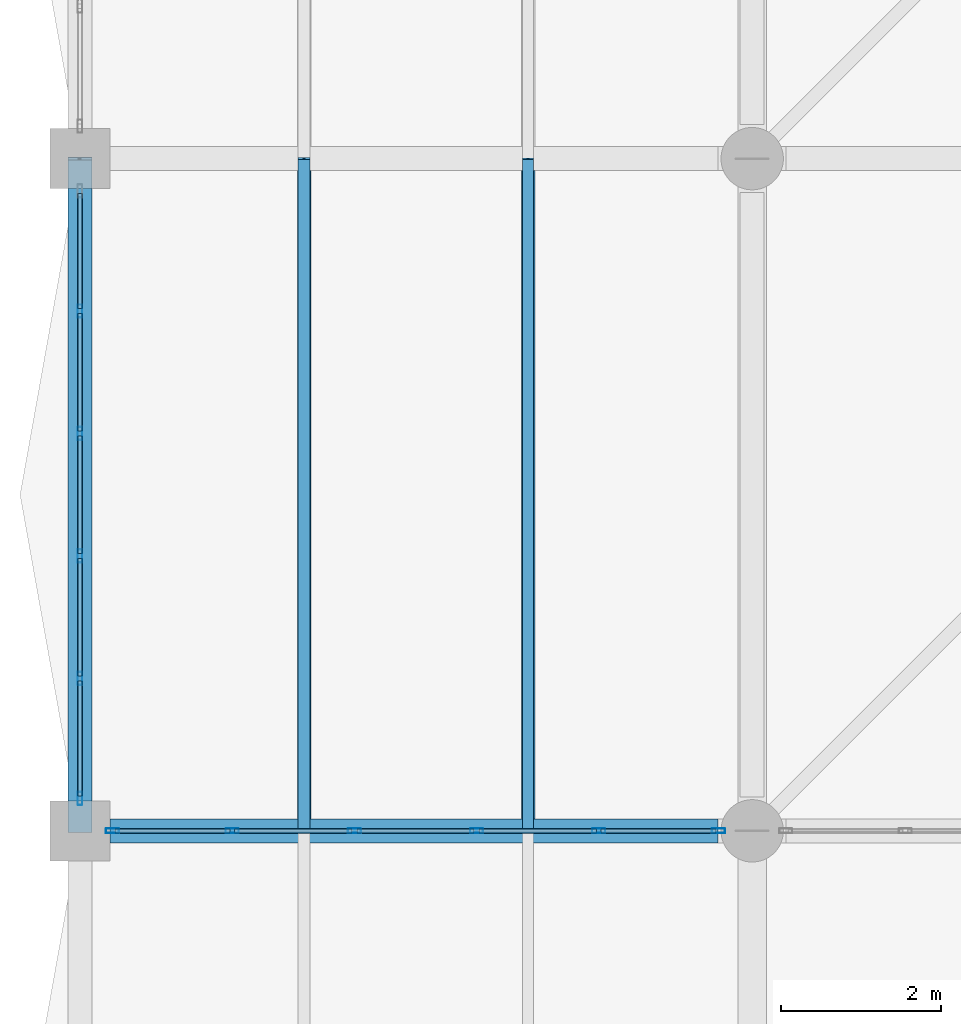
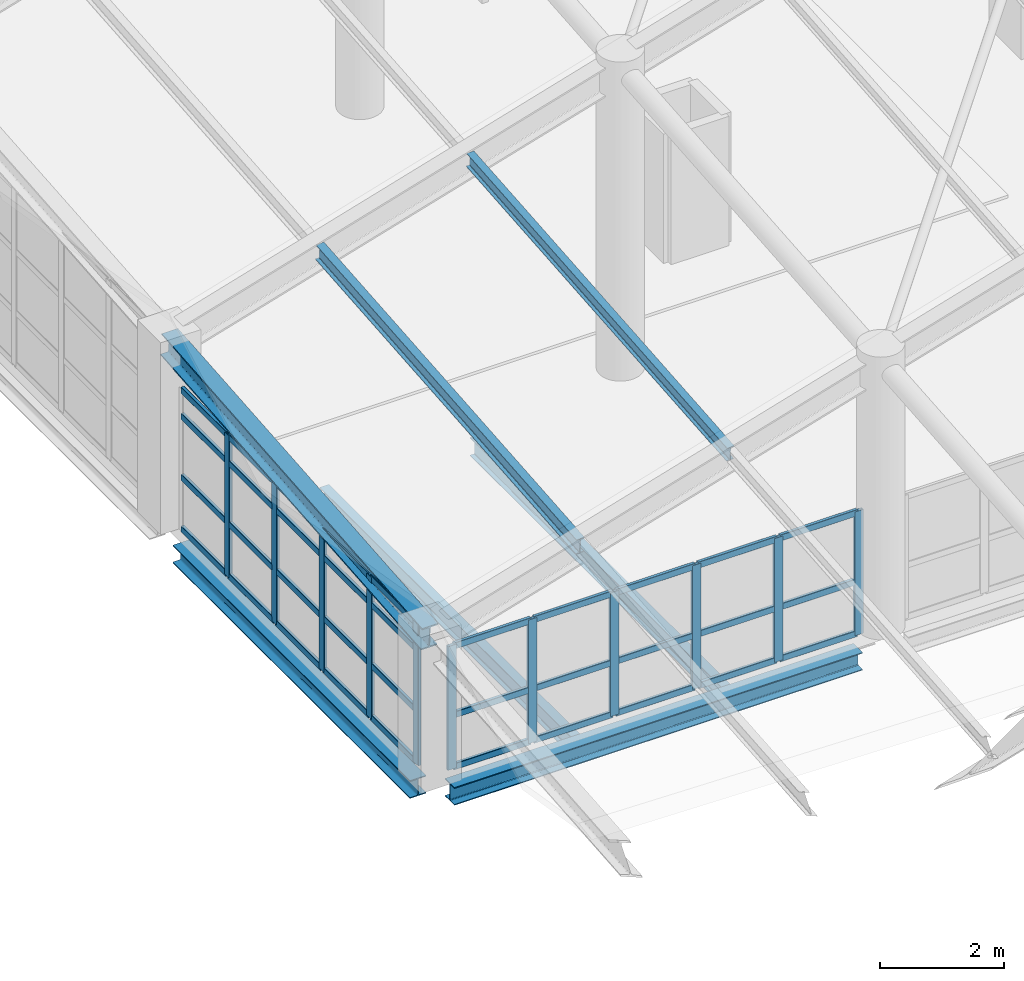
# One storey, part 25 of 95: 49 members, 4 beams, 2 elements without a shape of their own.
"""IFC4 building model written with IfcOpenShell, lengths in metres."""

from ifc_helpers import new_model, si_unit, direction, frame, origin, origin_2d, place, context, subcontext, project, spatial, hollow_rectangle, i_section, extrude, material, layer, layer_set, material_profile, profile_set, type_object, element, aggregate, save


model = new_model("IFC4")

# Units and contexts
model_context = context("Model", 3, precision=1e-05, world=origin(), true_north=direction((0.0, 1.0)))
body_context = subcontext(model_context, "Body", "Model", "MODEL_VIEW")
ifc_project = project(units=[si_unit("LENGTHUNIT", "METRE"), si_unit("AREAUNIT", "SQUARE_METRE"), si_unit("VOLUMEUNIT", "CUBIC_METRE"), si_unit("PLANEANGLEUNIT", "RADIAN"), si_unit("MASSUNIT", "GRAM", prefix="KILO"), si_unit("THERMODYNAMICTEMPERATUREUNIT", "KELVIN"), si_unit("POWERUNIT", "WATT")], contexts=[model_context])

# Site, building, storey
site_placement = place(None, origin())
site = spatial("IfcSite", under=ifc_project, at=site_placement, CompositionType="ELEMENT")
building_placement = place(site_placement, origin())
building = spatial("IfcBuilding", under=site, at=building_placement, Name="Mavoryth Pier Ferry Terminal", CompositionType="ELEMENT")
storey_placement = place(building_placement, frame((0.0, 0.0, 9.60009765625)))
storey = spatial("IfcBuildingStorey", under=building, at=storey_placement, Name="L02", CompositionType="ELEMENT", Elevation=9.60009765625)

# Member
ifc_material_1 = material(Name="Steel S355J2", Category="steel")
ifc_material_profile_1 = material_profile(ifc_material_1, i_section(OverallWidth=0.300048828125, OverallDepth=0.449951171875, WebThickness=0.013916015625, FlangeThickness=0.02587890625, FilletRadius=0.027099609375, at=origin_2d()), Name="HEB 450", Category="steel")
ifc_profile_set_1 = profile_set([ifc_material_profile_1], Name="Steel S355J2 - HEB 450")
member_type_1 = type_object("IfcMemberType", Name="Chord-Eave-HEB450", PredefinedType="CHORD", material=ifc_profile_set_1)
member_1_placement = place(storey_placement, frame((0.0, 72.39990234375, 2.729248046875), z_axis=(0.0, 0.996403523637, 0.084734987362), x_axis=(-1.0, 0.0, 0.0)))
element("IfcMember", 1, at=member_1_placement, inside=storey, type_object=member_type_1, Name="Steel Member MB-L02-0115", PredefinedType="CHORD", context=body_context, shape_type="SweptSolid", body=[
    extrude(i_section(OverallWidth=0.300048828125, OverallDepth=0.449951171875, WebThickness=0.013916015625, FlangeThickness=0.02587890625, FilletRadius=0.027099609375, at=origin_2d()), origin(), (0.0, 0.0, 1.0), 8.430419921875),
])

# Beams
ifc_material_profile_2 = material_profile(ifc_material_1, i_section(OverallWidth=0.169921875, OverallDepth=0.360107421875, WebThickness=0.008056640625, FlangeThickness=0.0126953125, FilletRadius=0.01806640625, at=origin_2d()), Name="IPE 360", Category="steel")
ifc_profile_set_2 = profile_set([ifc_material_profile_2], Name="Steel S355J2 - IPE 360")
beam_type_1 = type_object("IfcBeamType", Name="Joist-Steel-IPE360", PredefinedType="JOIST", material=ifc_profile_set_2)
for number, where, z_axis, x_axis, name in (
    (2, (2.800048828125, 72.550048828125, -0.460205078125), (0.0, 1.0, 0.0), (-1.0, 0.0, 0.0), "Beam B02-SJ02-0653"),
    (3, (5.60009765625, 72.550048828125, -0.460205078125), (0.0, 1.0, 0.0), (-1.0, 0.0, 0.0), "Beam B02-SJ02-0654"),
):
    element("IfcBeam", number, at=place(storey_placement, frame(where, z_axis=z_axis, x_axis=x_axis)), inside=storey, type_object=beam_type_1, Name=name, PredefinedType="JOIST", context=body_context, shape_type="SweptSolid", body=[
        extrude(i_section(OverallWidth=0.169921875, OverallDepth=0.360107421875, WebThickness=0.008056640625, FlangeThickness=0.0126953125, FilletRadius=0.01806640625, at=origin_2d()), origin(), (0.0, 0.0, 1.0), 8.099853515625),
    ])

# Curtain wall, members
ifc_material_2 = material(Name="Anodised Aluminium and Solar-Control Low-E Glass", Category="aluminium")
ifc_layer = layer(ifc_material_2, 0.179931640625, Name="Anodised Aluminium and Solar-Control Low-E Glass", Category="aluminium")
ifc_layer_set = layer_set([ifc_layer], Name="Anodised Aluminium and Solar-Control Low-E Glass - CW-Concourse-Mod1400")
curtain_wall_type = type_object("IfcCurtainWallType", Name="CW-Concourse-Mod1400", PredefinedType="USERDEFINED", material=ifc_layer_set)
curtain_wall_1_placement = place(storey_placement, origin())
curtain_wall_1 = element("IfcCurtainWall", 4, at=curtain_wall_1_placement, inside=storey, type_object=curtain_wall_type, Name="Curtain Wall CW-0222-021", ObjectType="UNITISED CURTAIN WALL", PredefinedType="USERDEFINED")
ifc_material_3 = material(Name="Anodised Aluminium EN AW-6063", Category="aluminium")
ifc_material_profile_3 = material_profile(ifc_material_3, hollow_rectangle(XDim=0.06005859375, YDim=0.1650390625, WallThickness=0.00390625, InnerFilletRadius=0.00390625, OuterFilletRadius=0.008056640625, at=origin_2d()), Name="AL-MULL 165x60x4", Category="aluminium")
ifc_profile_set_3 = profile_set([ifc_material_profile_3], Name="Anodised Aluminium EN AW-6063 - AL-MULL 165x60x4")
member_type_2 = type_object("IfcMemberType", Name="Mullion-Alum-165x60", PredefinedType="MULLION", material=ifc_profile_set_3)
member_2_placement = place(storey_placement, frame((0.0, 78.89501953125, 0.0), z_axis=(0.0, 0.0, 1.0), x_axis=(1.0, 0.0, 0.0)))
member_2 = element("IfcMember", 5, at=member_2_placement, type_object=member_type_2, Name="CW01 mullion 2", PredefinedType="MULLION", context=body_context, shape_type="SweptSolid", body=[
    extrude(hollow_rectangle(XDim=0.06005859375, YDim=0.1650390625, WallThickness=0.00390625, InnerFilletRadius=0.00390625, OuterFilletRadius=0.008056640625, at=origin_2d()), origin(), (0.0, 0.0, 1.0), 2.79296875),
])
member_3_placement = place(storey_placement, frame((0.0, 77.364990234375, 0.0), z_axis=(0.0, 0.0, 1.0), x_axis=(1.0, 0.0, 0.0)))
member_3 = element("IfcMember", 6, at=member_3_placement, type_object=member_type_2, Name="CW01 mullion 3", PredefinedType="MULLION", context=body_context, shape_type="SweptSolid", body=[
    extrude(hollow_rectangle(XDim=0.06005859375, YDim=0.1650390625, WallThickness=0.00390625, InnerFilletRadius=0.00390625, OuterFilletRadius=0.008056640625, at=origin_2d()), origin(), (0.0, 0.0, 1.0), 2.79296875),
])
member_4_placement = place(storey_placement, frame((0.0, 75.8349609375, 0.0), z_axis=(0.0, 0.0, 1.0), x_axis=(1.0, 0.0, 0.0)))
member_4 = element("IfcMember", 7, at=member_4_placement, type_object=member_type_2, Name="CW01 mullion 4", PredefinedType="MULLION", context=body_context, shape_type="SweptSolid", body=[
    extrude(hollow_rectangle(XDim=0.06005859375, YDim=0.1650390625, WallThickness=0.00390625, InnerFilletRadius=0.00390625, OuterFilletRadius=0.008056640625, at=origin_2d()), origin(), (0.0, 0.0, 1.0), 2.79296875),
])
member_5_placement = place(storey_placement, frame((0.0, 74.304931640625, 0.0), z_axis=(0.0, 0.0, 1.0), x_axis=(1.0, 0.0, 0.0)))
member_5 = element("IfcMember", 8, at=member_5_placement, type_object=member_type_2, Name="CW01 mullion 5", PredefinedType="MULLION", context=body_context, shape_type="SweptSolid", body=[
    extrude(hollow_rectangle(XDim=0.06005859375, YDim=0.1650390625, WallThickness=0.00390625, InnerFilletRadius=0.00390625, OuterFilletRadius=0.008056640625, at=origin_2d()), origin(), (0.0, 0.0, 1.0), 2.79296875),
])
member_6_placement = place(storey_placement, frame((0.0, 72.804931640625, 0.0), z_axis=(0.0, 0.0, 1.0), x_axis=(1.0, 0.0, 0.0)))
member_6 = element("IfcMember", 9, at=member_6_placement, type_object=member_type_2, Name="CW01 mullion 6", PredefinedType="MULLION", context=body_context, shape_type="SweptSolid", body=[
    extrude(hollow_rectangle(XDim=0.06005859375, YDim=0.1650390625, WallThickness=0.00390625, InnerFilletRadius=0.00390625, OuterFilletRadius=0.008056640625, at=origin_2d()), origin(), (0.0, 0.0, 1.0), 2.79296875),
])

curtain_wall_2_placement = place(storey_placement, origin())
curtain_wall_2 = element("IfcCurtainWall", 10, at=curtain_wall_2_placement, inside=storey, type_object=curtain_wall_type, Name="Curtain Wall CW-0222-039", ObjectType="UNITISED CURTAIN WALL", PredefinedType="USERDEFINED")
member_7_placement = place(storey_placement, frame((0.405029296875, 72.39990234375, 0.0), z_axis=(0.0, 0.0, 1.0), x_axis=(0.0, 1.0, 0.0)))
member_7 = element("IfcMember", 11, at=member_7_placement, type_object=member_type_2, Name="CW01 mullion 1", PredefinedType="MULLION", context=body_context, shape_type="SweptSolid", body=[
    extrude(hollow_rectangle(XDim=0.06005859375, YDim=0.1650390625, WallThickness=0.00390625, InnerFilletRadius=0.00390625, OuterFilletRadius=0.008056640625, at=origin_2d()), origin(), (0.0, 0.0, 1.0), 2.435791015625),
])
member_8_placement = place(storey_placement, frame((1.902099609375, 72.39990234375, 0.0), z_axis=(0.0, 0.0, 1.0), x_axis=(0.0, 1.0, 0.0)))
member_8 = element("IfcMember", 12, at=member_8_placement, type_object=member_type_2, Name="CW01 mullion 2", PredefinedType="MULLION", context=body_context, shape_type="SweptSolid", body=[
    extrude(hollow_rectangle(XDim=0.06005859375, YDim=0.1650390625, WallThickness=0.00390625, InnerFilletRadius=0.00390625, OuterFilletRadius=0.008056640625, at=origin_2d()), origin(), (0.0, 0.0, 1.0), 2.435791015625),
])
member_9_placement = place(storey_placement, frame((3.428955078125, 72.39990234375, 0.0), z_axis=(0.0, 0.0, 1.0), x_axis=(0.0, 1.0, 0.0)))
member_9 = element("IfcMember", 13, at=member_9_placement, type_object=member_type_2, Name="CW01 mullion 3", PredefinedType="MULLION", context=body_context, shape_type="SweptSolid", body=[
    extrude(hollow_rectangle(XDim=0.06005859375, YDim=0.1650390625, WallThickness=0.00390625, InnerFilletRadius=0.00390625, OuterFilletRadius=0.008056640625, at=origin_2d()), origin(), (0.0, 0.0, 1.0), 2.435791015625),
])
member_10_placement = place(storey_placement, frame((4.9560546875, 72.39990234375, 0.0), z_axis=(0.0, 0.0, 1.0), x_axis=(0.0, 1.0, 0.0)))
member_10 = element("IfcMember", 14, at=member_10_placement, type_object=member_type_2, Name="CW01 mullion 4", PredefinedType="MULLION", context=body_context, shape_type="SweptSolid", body=[
    extrude(hollow_rectangle(XDim=0.06005859375, YDim=0.1650390625, WallThickness=0.00390625, InnerFilletRadius=0.00390625, OuterFilletRadius=0.008056640625, at=origin_2d()), origin(), (0.0, 0.0, 1.0), 2.435791015625),
])
member_11_placement = place(storey_placement, frame((6.48291015625, 72.39990234375, 0.0), z_axis=(0.0, 0.0, 1.0), x_axis=(0.0, 1.0, 0.0)))
member_11 = element("IfcMember", 15, at=member_11_placement, type_object=member_type_2, Name="CW01 mullion 5", PredefinedType="MULLION", context=body_context, shape_type="SweptSolid", body=[
    extrude(hollow_rectangle(XDim=0.06005859375, YDim=0.1650390625, WallThickness=0.00390625, InnerFilletRadius=0.00390625, OuterFilletRadius=0.008056640625, at=origin_2d()), origin(), (0.0, 0.0, 1.0), 2.435791015625),
])
member_12_placement = place(storey_placement, frame((7.97998046875, 72.39990234375, 0.0), z_axis=(0.0, 0.0, 1.0), x_axis=(0.0, 1.0, 0.0)))
member_12 = element("IfcMember", 16, at=member_12_placement, type_object=member_type_2, Name="CW01 mullion 6", PredefinedType="MULLION", context=body_context, shape_type="SweptSolid", body=[
    extrude(hollow_rectangle(XDim=0.06005859375, YDim=0.1650390625, WallThickness=0.00390625, InnerFilletRadius=0.00390625, OuterFilletRadius=0.008056640625, at=origin_2d()), origin(), (0.0, 0.0, 1.0), 2.435791015625),
])

# Members
ifc_material_profile_4 = material_profile(ifc_material_1, i_section(OverallWidth=0.135009765625, OverallDepth=0.27001953125, WebThickness=0.006591796875, FlangeThickness=0.01025390625, FilletRadius=0.014892578125, at=origin_2d()), Name="IPE 270", Category="steel")
ifc_profile_set_4 = profile_set([ifc_material_profile_4], Name="Steel S355J2 - IPE 270")
member_type_3 = type_object("IfcMemberType", Name="Purlin-Roof-IPE270", PredefinedType="PURLIN", material=ifc_profile_set_4)
member_13_placement = place(storey_placement, frame((5.60009765625, 72.39990234375, 4.374755859375), z_axis=(0.0, 0.996403523637, 0.084734987362), x_axis=(-1.0, 0.0, 0.0)))
element("IfcMember", 17, at=member_13_placement, inside=storey, type_object=member_type_3, Name="Steel Member MB-L02-0121", PredefinedType="PURLIN", context=body_context, shape_type="SweptSolid", body=[
    extrude(i_section(OverallWidth=0.135009765625, OverallDepth=0.27001953125, WebThickness=0.006591796875, FlangeThickness=0.01025390625, FilletRadius=0.014892578125, at=origin_2d()), origin(), (0.0, 0.0, 1.0), 8.430419921875),
])
ifc_material_profile_5 = material_profile(ifc_material_1, i_section(OverallWidth=0.14990234375, OverallDepth=0.300048828125, WebThickness=0.007080078125, FlangeThickness=0.0107421875, FilletRadius=0.014892578125, at=origin_2d()), Name="IPE 300", Category="steel")
ifc_profile_set_5 = profile_set([ifc_material_profile_5], Name="Steel S355J2 - IPE 300")
member_type_4 = type_object("IfcMemberType", Name="Purlin-Roof-IPE300", PredefinedType="PURLIN", material=ifc_profile_set_5)
member_14_placement = place(storey_placement, frame((2.800048828125, 72.39990234375, 3.5419921875), z_axis=(0.0, 0.996403523637, 0.084734987362), x_axis=(-1.0, 0.0, 0.0)))
element("IfcMember", 18, at=member_14_placement, inside=storey, type_object=member_type_4, Name="Steel Member MB-L02-0120", PredefinedType="PURLIN", context=body_context, shape_type="SweptSolid", body=[
    extrude(i_section(OverallWidth=0.14990234375, OverallDepth=0.300048828125, WebThickness=0.007080078125, FlangeThickness=0.0107421875, FilletRadius=0.014892578125, at=origin_2d()), origin(), (0.0, 0.0, 1.0), 8.430419921875),
])

# Beams
ifc_material_profile_6 = material_profile(ifc_material_1, i_section(OverallWidth=0.300048828125, OverallDepth=0.35009765625, WebThickness=0.010009765625, FlangeThickness=0.017578125, FilletRadius=0.027099609375, at=origin_2d()), Name="HEA 360", Category="steel")
ifc_profile_set_6 = profile_set([ifc_material_profile_6], Name="Steel S355J2 - HEA 360")
beam_type_2 = type_object("IfcBeamType", Name="Spandrel-Steel-HEA360", PredefinedType="SPANDREL", material=ifc_profile_set_6)
beam_1_placement = place(storey_placement, frame((0.375, 72.39990234375, -0.455078125), z_axis=(1.0, 0.0, 0.0), x_axis=(0.0, 1.0, 0.0)))
element("IfcBeam", 19, at=beam_1_placement, inside=storey, type_object=beam_type_2, Name="Beam B02-SP03-0604", PredefinedType="SPANDREL", context=body_context, shape_type="SweptSolid", body=[
    extrude(i_section(OverallWidth=0.300048828125, OverallDepth=0.35009765625, WebThickness=0.010009765625, FlangeThickness=0.017578125, FilletRadius=0.027099609375, at=origin_2d()), origin(), (0.0, 0.0, 1.0), 7.60009765625),
])
beam_2_placement = place(storey_placement, frame((0.0, 72.77490234375, -0.455078125), z_axis=(0.0, 1.0, 0.0), x_axis=(-1.0, 0.0, 0.0)))
element("IfcBeam", 20, at=beam_2_placement, inside=storey, type_object=beam_type_2, Name="Beam B02-SP03-0628", PredefinedType="SPANDREL", context=body_context, shape_type="SweptSolid", body=[
    extrude(i_section(OverallWidth=0.300048828125, OverallDepth=0.35009765625, WebThickness=0.010009765625, FlangeThickness=0.017578125, FilletRadius=0.027099609375, at=origin_2d()), origin(), (0.0, 0.0, 1.0), 7.650146484375),
])

# Member
ifc_material_profile_7 = material_profile(ifc_material_3, hollow_rectangle(XDim=0.06005859375, YDim=0.125, WallThickness=0.00390625, InnerFilletRadius=0.00390625, OuterFilletRadius=0.008056640625, at=origin_2d()), Name="AL-TRAN 125x60x4", Category="aluminium")
ifc_profile_set_7 = profile_set([ifc_material_profile_7], Name="Anodised Aluminium EN AW-6063 - AL-TRAN 125x60x4")
member_type_5 = type_object("IfcMemberType", Name="Transom-Alum-125x60", PredefinedType="USERDEFINED", material=ifc_profile_set_7)
member_15_placement = place(storey_placement, frame((0.0, 80.364990234375, 0.02978515625), z_axis=(0.0, -1.0, 0.0), x_axis=(1.0, 0.0, 0.0)))
member_15 = element("IfcMember", 21, at=member_15_placement, type_object=member_type_5, Name="CW01 transom 1.1", ObjectType="TRANSOM", PredefinedType="USERDEFINED", context=body_context, shape_type="SweptSolid", body=[
    extrude(hollow_rectangle(XDim=0.06005859375, YDim=0.125, WallThickness=0.00390625, InnerFilletRadius=0.00390625, OuterFilletRadius=0.008056640625, at=origin_2d()), origin(), (0.0, 0.0, 1.0), 1.43994140625),
])

member_16_placement = place(storey_placement, frame((0.0, 80.364990234375, 1.0498046875), z_axis=(0.0, -1.0, 0.0), x_axis=(1.0, 0.0, 0.0)))
member_16 = element("IfcMember", 22, at=member_16_placement, type_object=member_type_5, Name="CW01 transom 1.2", ObjectType="TRANSOM", PredefinedType="USERDEFINED", context=body_context, shape_type="SweptSolid", body=[
    extrude(hollow_rectangle(XDim=0.06005859375, YDim=0.125, WallThickness=0.00390625, InnerFilletRadius=0.00390625, OuterFilletRadius=0.008056640625, at=origin_2d()), origin(), (0.0, 0.0, 1.0), 1.43994140625),
])

member_17_placement = place(storey_placement, frame((0.0, 80.364990234375, 2.25), z_axis=(0.0, -1.0, 0.0), x_axis=(1.0, 0.0, 0.0)))
member_17 = element("IfcMember", 23, at=member_17_placement, type_object=member_type_5, Name="CW01 transom 1.3", ObjectType="TRANSOM", PredefinedType="USERDEFINED", context=body_context, shape_type="SweptSolid", body=[
    extrude(hollow_rectangle(XDim=0.06005859375, YDim=0.125, WallThickness=0.00390625, InnerFilletRadius=0.00390625, OuterFilletRadius=0.008056640625, at=origin_2d()), origin(), (0.0, 0.0, 1.0), 1.43994140625),
])

member_18_placement = place(storey_placement, frame((0.0, 80.364990234375, 2.762939453125), z_axis=(0.0, -1.0, 0.0), x_axis=(1.0, 0.0, 0.0)))
member_18 = element("IfcMember", 24, at=member_18_placement, type_object=member_type_5, Name="CW01 transom 1.4", ObjectType="TRANSOM", PredefinedType="USERDEFINED", context=body_context, shape_type="SweptSolid", body=[
    extrude(hollow_rectangle(XDim=0.06005859375, YDim=0.125, WallThickness=0.00390625, InnerFilletRadius=0.00390625, OuterFilletRadius=0.008056640625, at=origin_2d()), origin(), (0.0, 0.0, 1.0), 1.43994140625),
])

member_19_placement = place(storey_placement, frame((0.0, 78.864990234375, 0.02978515625), z_axis=(0.0, -1.0, 0.0), x_axis=(1.0, 0.0, 0.0)))
member_19 = element("IfcMember", 25, at=member_19_placement, type_object=member_type_5, Name="CW01 transom 2.1", ObjectType="TRANSOM", PredefinedType="USERDEFINED", context=body_context, shape_type="SweptSolid", body=[
    extrude(hollow_rectangle(XDim=0.06005859375, YDim=0.125, WallThickness=0.00390625, InnerFilletRadius=0.00390625, OuterFilletRadius=0.008056640625, at=origin_2d()), origin(), (0.0, 0.0, 1.0), 1.469970703125),
])

member_20_placement = place(storey_placement, frame((0.0, 78.864990234375, 1.0498046875), z_axis=(0.0, -1.0, 0.0), x_axis=(1.0, 0.0, 0.0)))
member_20 = element("IfcMember", 26, at=member_20_placement, type_object=member_type_5, Name="CW01 transom 2.2", ObjectType="TRANSOM", PredefinedType="USERDEFINED", context=body_context, shape_type="SweptSolid", body=[
    extrude(hollow_rectangle(XDim=0.06005859375, YDim=0.125, WallThickness=0.00390625, InnerFilletRadius=0.00390625, OuterFilletRadius=0.008056640625, at=origin_2d()), origin(), (0.0, 0.0, 1.0), 1.469970703125),
])

member_21_placement = place(storey_placement, frame((0.0, 78.864990234375, 2.25), z_axis=(0.0, -1.0, 0.0), x_axis=(1.0, 0.0, 0.0)))
member_21 = element("IfcMember", 27, at=member_21_placement, type_object=member_type_5, Name="CW01 transom 2.3", ObjectType="TRANSOM", PredefinedType="USERDEFINED", context=body_context, shape_type="SweptSolid", body=[
    extrude(hollow_rectangle(XDim=0.06005859375, YDim=0.125, WallThickness=0.00390625, InnerFilletRadius=0.00390625, OuterFilletRadius=0.008056640625, at=origin_2d()), origin(), (0.0, 0.0, 1.0), 1.469970703125),
])

member_22_placement = place(storey_placement, frame((0.0, 78.864990234375, 2.762939453125), z_axis=(0.0, -1.0, 0.0), x_axis=(1.0, 0.0, 0.0)))
member_22 = element("IfcMember", 28, at=member_22_placement, type_object=member_type_5, Name="CW01 transom 2.4", ObjectType="TRANSOM", PredefinedType="USERDEFINED", context=body_context, shape_type="SweptSolid", body=[
    extrude(hollow_rectangle(XDim=0.06005859375, YDim=0.125, WallThickness=0.00390625, InnerFilletRadius=0.00390625, OuterFilletRadius=0.008056640625, at=origin_2d()), origin(), (0.0, 0.0, 1.0), 1.469970703125),
])

member_23_placement = place(storey_placement, frame((0.0, 77.3349609375, 0.02978515625), z_axis=(0.0, -1.0, 0.0), x_axis=(1.0, 0.0, 0.0)))
member_23 = element("IfcMember", 29, at=member_23_placement, type_object=member_type_5, Name="CW01 transom 3.1", ObjectType="TRANSOM", PredefinedType="USERDEFINED", context=body_context, shape_type="SweptSolid", body=[
    extrude(hollow_rectangle(XDim=0.06005859375, YDim=0.125, WallThickness=0.00390625, InnerFilletRadius=0.00390625, OuterFilletRadius=0.008056640625, at=origin_2d()), origin(), (0.0, 0.0, 1.0), 1.469970703125),
])

member_24_placement = place(storey_placement, frame((0.0, 77.3349609375, 1.0498046875), z_axis=(0.0, -1.0, 0.0), x_axis=(1.0, 0.0, 0.0)))
member_24 = element("IfcMember", 30, at=member_24_placement, type_object=member_type_5, Name="CW01 transom 3.2", ObjectType="TRANSOM", PredefinedType="USERDEFINED", context=body_context, shape_type="SweptSolid", body=[
    extrude(hollow_rectangle(XDim=0.06005859375, YDim=0.125, WallThickness=0.00390625, InnerFilletRadius=0.00390625, OuterFilletRadius=0.008056640625, at=origin_2d()), origin(), (0.0, 0.0, 1.0), 1.469970703125),
])

member_25_placement = place(storey_placement, frame((0.0, 77.3349609375, 2.25), z_axis=(0.0, -1.0, 0.0), x_axis=(1.0, 0.0, 0.0)))
member_25 = element("IfcMember", 31, at=member_25_placement, type_object=member_type_5, Name="CW01 transom 3.3", ObjectType="TRANSOM", PredefinedType="USERDEFINED", context=body_context, shape_type="SweptSolid", body=[
    extrude(hollow_rectangle(XDim=0.06005859375, YDim=0.125, WallThickness=0.00390625, InnerFilletRadius=0.00390625, OuterFilletRadius=0.008056640625, at=origin_2d()), origin(), (0.0, 0.0, 1.0), 1.469970703125),
])

member_26_placement = place(storey_placement, frame((0.0, 77.3349609375, 2.762939453125), z_axis=(0.0, -1.0, 0.0), x_axis=(1.0, 0.0, 0.0)))
member_26 = element("IfcMember", 32, at=member_26_placement, type_object=member_type_5, Name="CW01 transom 3.4", ObjectType="TRANSOM", PredefinedType="USERDEFINED", context=body_context, shape_type="SweptSolid", body=[
    extrude(hollow_rectangle(XDim=0.06005859375, YDim=0.125, WallThickness=0.00390625, InnerFilletRadius=0.00390625, OuterFilletRadius=0.008056640625, at=origin_2d()), origin(), (0.0, 0.0, 1.0), 1.469970703125),
])

member_27_placement = place(storey_placement, frame((0.0, 75.804931640625, 0.02978515625), z_axis=(0.0, -1.0, 0.0), x_axis=(1.0, 0.0, 0.0)))
member_27 = element("IfcMember", 33, at=member_27_placement, type_object=member_type_5, Name="CW01 transom 4.1", ObjectType="TRANSOM", PredefinedType="USERDEFINED", context=body_context, shape_type="SweptSolid", body=[
    extrude(hollow_rectangle(XDim=0.06005859375, YDim=0.125, WallThickness=0.00390625, InnerFilletRadius=0.00390625, OuterFilletRadius=0.008056640625, at=origin_2d()), origin(), (0.0, 0.0, 1.0), 1.469970703125),
])

member_28_placement = place(storey_placement, frame((0.0, 75.804931640625, 1.0498046875), z_axis=(0.0, -1.0, 0.0), x_axis=(1.0, 0.0, 0.0)))
member_28 = element("IfcMember", 34, at=member_28_placement, type_object=member_type_5, Name="CW01 transom 4.2", ObjectType="TRANSOM", PredefinedType="USERDEFINED", context=body_context, shape_type="SweptSolid", body=[
    extrude(hollow_rectangle(XDim=0.06005859375, YDim=0.125, WallThickness=0.00390625, InnerFilletRadius=0.00390625, OuterFilletRadius=0.008056640625, at=origin_2d()), origin(), (0.0, 0.0, 1.0), 1.469970703125),
])

member_29_placement = place(storey_placement, frame((0.0, 75.804931640625, 2.25), z_axis=(0.0, -1.0, 0.0), x_axis=(1.0, 0.0, 0.0)))
member_29 = element("IfcMember", 35, at=member_29_placement, type_object=member_type_5, Name="CW01 transom 4.3", ObjectType="TRANSOM", PredefinedType="USERDEFINED", context=body_context, shape_type="SweptSolid", body=[
    extrude(hollow_rectangle(XDim=0.06005859375, YDim=0.125, WallThickness=0.00390625, InnerFilletRadius=0.00390625, OuterFilletRadius=0.008056640625, at=origin_2d()), origin(), (0.0, 0.0, 1.0), 1.469970703125),
])

member_30_placement = place(storey_placement, frame((0.0, 75.804931640625, 2.762939453125), z_axis=(0.0, -1.0, 0.0), x_axis=(1.0, 0.0, 0.0)))
member_30 = element("IfcMember", 36, at=member_30_placement, type_object=member_type_5, Name="CW01 transom 4.4", ObjectType="TRANSOM", PredefinedType="USERDEFINED", context=body_context, shape_type="SweptSolid", body=[
    extrude(hollow_rectangle(XDim=0.06005859375, YDim=0.125, WallThickness=0.00390625, InnerFilletRadius=0.00390625, OuterFilletRadius=0.008056640625, at=origin_2d()), origin(), (0.0, 0.0, 1.0), 1.469970703125),
])

member_31_placement = place(storey_placement, frame((0.0, 74.27490234375, 0.02978515625), z_axis=(0.0, -1.0, 0.0), x_axis=(1.0, 0.0, 0.0)))
member_31 = element("IfcMember", 37, at=member_31_placement, type_object=member_type_5, Name="CW01 transom 5.1", ObjectType="TRANSOM", PredefinedType="USERDEFINED", context=body_context, shape_type="SweptSolid", body=[
    extrude(hollow_rectangle(XDim=0.06005859375, YDim=0.125, WallThickness=0.00390625, InnerFilletRadius=0.00390625, OuterFilletRadius=0.008056640625, at=origin_2d()), origin(), (0.0, 0.0, 1.0), 1.43994140625),
])

member_32_placement = place(storey_placement, frame((0.0, 74.27490234375, 1.0498046875), z_axis=(0.0, -1.0, 0.0), x_axis=(1.0, 0.0, 0.0)))
member_32 = element("IfcMember", 38, at=member_32_placement, type_object=member_type_5, Name="CW01 transom 5.2", ObjectType="TRANSOM", PredefinedType="USERDEFINED", context=body_context, shape_type="SweptSolid", body=[
    extrude(hollow_rectangle(XDim=0.06005859375, YDim=0.125, WallThickness=0.00390625, InnerFilletRadius=0.00390625, OuterFilletRadius=0.008056640625, at=origin_2d()), origin(), (0.0, 0.0, 1.0), 1.43994140625),
])

member_33_placement = place(storey_placement, frame((0.0, 74.27490234375, 2.25), z_axis=(0.0, -1.0, 0.0), x_axis=(1.0, 0.0, 0.0)))
member_33 = element("IfcMember", 39, at=member_33_placement, type_object=member_type_5, Name="CW01 transom 5.3", ObjectType="TRANSOM", PredefinedType="USERDEFINED", context=body_context, shape_type="SweptSolid", body=[
    extrude(hollow_rectangle(XDim=0.06005859375, YDim=0.125, WallThickness=0.00390625, InnerFilletRadius=0.00390625, OuterFilletRadius=0.008056640625, at=origin_2d()), origin(), (0.0, 0.0, 1.0), 1.43994140625),
])

member_34_placement = place(storey_placement, frame((0.0, 74.27490234375, 2.762939453125), z_axis=(0.0, -1.0, 0.0), x_axis=(1.0, 0.0, 0.0)))
member_34 = element("IfcMember", 40, at=member_34_placement, type_object=member_type_5, Name="CW01 transom 5.4", ObjectType="TRANSOM", PredefinedType="USERDEFINED", context=body_context, shape_type="SweptSolid", body=[
    extrude(hollow_rectangle(XDim=0.06005859375, YDim=0.125, WallThickness=0.00390625, InnerFilletRadius=0.00390625, OuterFilletRadius=0.008056640625, at=origin_2d()), origin(), (0.0, 0.0, 1.0), 1.43994140625),
])

aggregate(curtain_wall_1, [member_2, member_3, member_4, member_5, member_6, member_15, member_16, member_17, member_18, member_19, member_20, member_21, member_22, member_23, member_24, member_25, member_26, member_27, member_28, member_29, member_30, member_31, member_32, member_33, member_34])

member_35_placement = place(storey_placement, frame((0.43505859375, 72.39990234375, 0.02978515625), z_axis=(1.0, 0.0, 0.0), x_axis=(0.0, 1.0, 0.0)))
member_35 = element("IfcMember", 41, at=member_35_placement, type_object=member_type_5, Name="CW01 transom 1.1", ObjectType="TRANSOM", PredefinedType="USERDEFINED", context=body_context, shape_type="SweptSolid", body=[
    extrude(hollow_rectangle(XDim=0.06005859375, YDim=0.125, WallThickness=0.00390625, InnerFilletRadius=0.00390625, OuterFilletRadius=0.008056640625, at=origin_2d()), origin(), (0.0, 0.0, 1.0), 1.43701171875),
])

member_36_placement = place(storey_placement, frame((0.43505859375, 72.39990234375, 1.0498046875), z_axis=(1.0, 0.0, 0.0), x_axis=(0.0, 1.0, 0.0)))
member_36 = element("IfcMember", 42, at=member_36_placement, type_object=member_type_5, Name="CW01 transom 1.2", ObjectType="TRANSOM", PredefinedType="USERDEFINED", context=body_context, shape_type="SweptSolid", body=[
    extrude(hollow_rectangle(XDim=0.06005859375, YDim=0.125, WallThickness=0.00390625, InnerFilletRadius=0.00390625, OuterFilletRadius=0.008056640625, at=origin_2d()), origin(), (0.0, 0.0, 1.0), 1.43701171875),
])

member_37_placement = place(storey_placement, frame((0.43505859375, 72.39990234375, 2.406005859375), z_axis=(1.0, 0.0, 0.0), x_axis=(0.0, 1.0, 0.0)))
member_37 = element("IfcMember", 43, at=member_37_placement, type_object=member_type_5, Name="CW01 transom 1.3", ObjectType="TRANSOM", PredefinedType="USERDEFINED", context=body_context, shape_type="SweptSolid", body=[
    extrude(hollow_rectangle(XDim=0.06005859375, YDim=0.125, WallThickness=0.00390625, InnerFilletRadius=0.00390625, OuterFilletRadius=0.008056640625, at=origin_2d()), origin(), (0.0, 0.0, 1.0), 1.43701171875),
])

member_38_placement = place(storey_placement, frame((1.931884765625, 72.39990234375, 0.02978515625), z_axis=(1.0, 0.0, 0.0), x_axis=(0.0, 1.0, 0.0)))
member_38 = element("IfcMember", 44, at=member_38_placement, type_object=member_type_5, Name="CW01 transom 2.1", ObjectType="TRANSOM", PredefinedType="USERDEFINED", context=body_context, shape_type="SweptSolid", body=[
    extrude(hollow_rectangle(XDim=0.06005859375, YDim=0.125, WallThickness=0.00390625, InnerFilletRadius=0.00390625, OuterFilletRadius=0.008056640625, at=origin_2d()), origin(), (0.0, 0.0, 1.0), 1.467041015625),
])

member_39_placement = place(storey_placement, frame((1.931884765625, 72.39990234375, 1.0498046875), z_axis=(1.0, 0.0, 0.0), x_axis=(0.0, 1.0, 0.0)))
member_39 = element("IfcMember", 45, at=member_39_placement, type_object=member_type_5, Name="CW01 transom 2.2", ObjectType="TRANSOM", PredefinedType="USERDEFINED", context=body_context, shape_type="SweptSolid", body=[
    extrude(hollow_rectangle(XDim=0.06005859375, YDim=0.125, WallThickness=0.00390625, InnerFilletRadius=0.00390625, OuterFilletRadius=0.008056640625, at=origin_2d()), origin(), (0.0, 0.0, 1.0), 1.467041015625),
])

member_40_placement = place(storey_placement, frame((1.931884765625, 72.39990234375, 2.406005859375), z_axis=(1.0, 0.0, 0.0), x_axis=(0.0, 1.0, 0.0)))
member_40 = element("IfcMember", 46, at=member_40_placement, type_object=member_type_5, Name="CW01 transom 2.3", ObjectType="TRANSOM", PredefinedType="USERDEFINED", context=body_context, shape_type="SweptSolid", body=[
    extrude(hollow_rectangle(XDim=0.06005859375, YDim=0.125, WallThickness=0.00390625, InnerFilletRadius=0.00390625, OuterFilletRadius=0.008056640625, at=origin_2d()), origin(), (0.0, 0.0, 1.0), 1.467041015625),
])

member_41_placement = place(storey_placement, frame((3.458984375, 72.39990234375, 0.02978515625), z_axis=(1.0, 0.0, 0.0), x_axis=(0.0, 1.0, 0.0)))
member_41 = element("IfcMember", 47, at=member_41_placement, type_object=member_type_5, Name="CW01 transom 3.1", ObjectType="TRANSOM", PredefinedType="USERDEFINED", context=body_context, shape_type="SweptSolid", body=[
    extrude(hollow_rectangle(XDim=0.06005859375, YDim=0.125, WallThickness=0.00390625, InnerFilletRadius=0.00390625, OuterFilletRadius=0.008056640625, at=origin_2d()), origin(), (0.0, 0.0, 1.0), 1.467041015625),
])

member_42_placement = place(storey_placement, frame((3.458984375, 72.39990234375, 1.0498046875), z_axis=(1.0, 0.0, 0.0), x_axis=(0.0, 1.0, 0.0)))
member_42 = element("IfcMember", 48, at=member_42_placement, type_object=member_type_5, Name="CW01 transom 3.2", ObjectType="TRANSOM", PredefinedType="USERDEFINED", context=body_context, shape_type="SweptSolid", body=[
    extrude(hollow_rectangle(XDim=0.06005859375, YDim=0.125, WallThickness=0.00390625, InnerFilletRadius=0.00390625, OuterFilletRadius=0.008056640625, at=origin_2d()), origin(), (0.0, 0.0, 1.0), 1.467041015625),
])

member_43_placement = place(storey_placement, frame((3.458984375, 72.39990234375, 2.406005859375), z_axis=(1.0, 0.0, 0.0), x_axis=(0.0, 1.0, 0.0)))
member_43 = element("IfcMember", 49, at=member_43_placement, type_object=member_type_5, Name="CW01 transom 3.3", ObjectType="TRANSOM", PredefinedType="USERDEFINED", context=body_context, shape_type="SweptSolid", body=[
    extrude(hollow_rectangle(XDim=0.06005859375, YDim=0.125, WallThickness=0.00390625, InnerFilletRadius=0.00390625, OuterFilletRadius=0.008056640625, at=origin_2d()), origin(), (0.0, 0.0, 1.0), 1.467041015625),
])

member_44_placement = place(storey_placement, frame((4.986083984375, 72.39990234375, 0.02978515625), z_axis=(1.0, 0.0, 0.0), x_axis=(0.0, 1.0, 0.0)))
member_44 = element("IfcMember", 50, at=member_44_placement, type_object=member_type_5, Name="CW01 transom 4.1", ObjectType="TRANSOM", PredefinedType="USERDEFINED", context=body_context, shape_type="SweptSolid", body=[
    extrude(hollow_rectangle(XDim=0.06005859375, YDim=0.125, WallThickness=0.00390625, InnerFilletRadius=0.00390625, OuterFilletRadius=0.008056640625, at=origin_2d()), origin(), (0.0, 0.0, 1.0), 1.466796875),
])

member_45_placement = place(storey_placement, frame((4.986083984375, 72.39990234375, 1.0498046875), z_axis=(1.0, 0.0, 0.0), x_axis=(0.0, 1.0, 0.0)))
member_45 = element("IfcMember", 51, at=member_45_placement, type_object=member_type_5, Name="CW01 transom 4.2", ObjectType="TRANSOM", PredefinedType="USERDEFINED", context=body_context, shape_type="SweptSolid", body=[
    extrude(hollow_rectangle(XDim=0.06005859375, YDim=0.125, WallThickness=0.00390625, InnerFilletRadius=0.00390625, OuterFilletRadius=0.008056640625, at=origin_2d()), origin(), (0.0, 0.0, 1.0), 1.466796875),
])

member_46_placement = place(storey_placement, frame((4.986083984375, 72.39990234375, 2.406005859375), z_axis=(1.0, 0.0, 0.0), x_axis=(0.0, 1.0, 0.0)))
member_46 = element("IfcMember", 52, at=member_46_placement, type_object=member_type_5, Name="CW01 transom 4.3", ObjectType="TRANSOM", PredefinedType="USERDEFINED", context=body_context, shape_type="SweptSolid", body=[
    extrude(hollow_rectangle(XDim=0.06005859375, YDim=0.125, WallThickness=0.00390625, InnerFilletRadius=0.00390625, OuterFilletRadius=0.008056640625, at=origin_2d()), origin(), (0.0, 0.0, 1.0), 1.466796875),
])

member_47_placement = place(storey_placement, frame((6.512939453125, 72.39990234375, 0.02978515625), z_axis=(1.0, 0.0, 0.0), x_axis=(0.0, 1.0, 0.0)))
member_47 = element("IfcMember", 53, at=member_47_placement, type_object=member_type_5, Name="CW01 transom 5.1", ObjectType="TRANSOM", PredefinedType="USERDEFINED", context=body_context, shape_type="SweptSolid", body=[
    extrude(hollow_rectangle(XDim=0.06005859375, YDim=0.125, WallThickness=0.00390625, InnerFilletRadius=0.00390625, OuterFilletRadius=0.008056640625, at=origin_2d()), origin(), (0.0, 0.0, 1.0), 1.43701171875),
])

member_48_placement = place(storey_placement, frame((6.512939453125, 72.39990234375, 1.0498046875), z_axis=(1.0, 0.0, 0.0), x_axis=(0.0, 1.0, 0.0)))
member_48 = element("IfcMember", 54, at=member_48_placement, type_object=member_type_5, Name="CW01 transom 5.2", ObjectType="TRANSOM", PredefinedType="USERDEFINED", context=body_context, shape_type="SweptSolid", body=[
    extrude(hollow_rectangle(XDim=0.06005859375, YDim=0.125, WallThickness=0.00390625, InnerFilletRadius=0.00390625, OuterFilletRadius=0.008056640625, at=origin_2d()), origin(), (0.0, 0.0, 1.0), 1.43701171875),
])

member_49_placement = place(storey_placement, frame((6.512939453125, 72.39990234375, 2.406005859375), z_axis=(1.0, 0.0, 0.0), x_axis=(0.0, 1.0, 0.0)))
member_49 = element("IfcMember", 55, at=member_49_placement, type_object=member_type_5, Name="CW01 transom 5.3", ObjectType="TRANSOM", PredefinedType="USERDEFINED", context=body_context, shape_type="SweptSolid", body=[
    extrude(hollow_rectangle(XDim=0.06005859375, YDim=0.125, WallThickness=0.00390625, InnerFilletRadius=0.00390625, OuterFilletRadius=0.008056640625, at=origin_2d()), origin(), (0.0, 0.0, 1.0), 1.43701171875),
])

aggregate(curtain_wall_2, [member_7, member_8, member_9, member_10, member_11, member_12, member_35, member_36, member_37, member_38, member_39, member_40, member_41, member_42, member_43, member_44, member_45, member_46, member_47, member_48, member_49])

save(model, "model.ifc")
